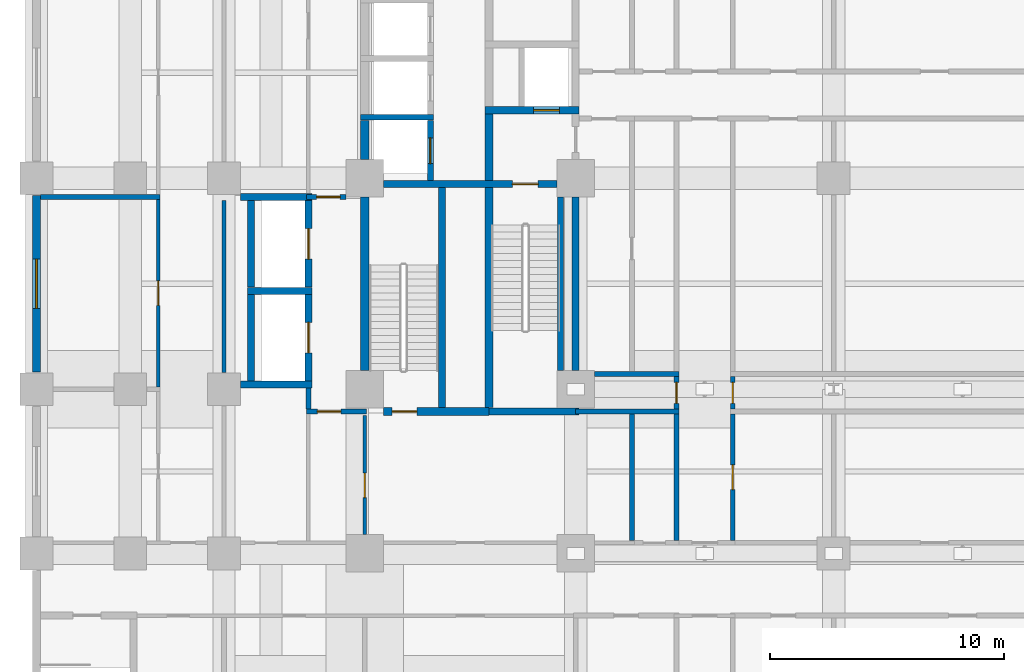
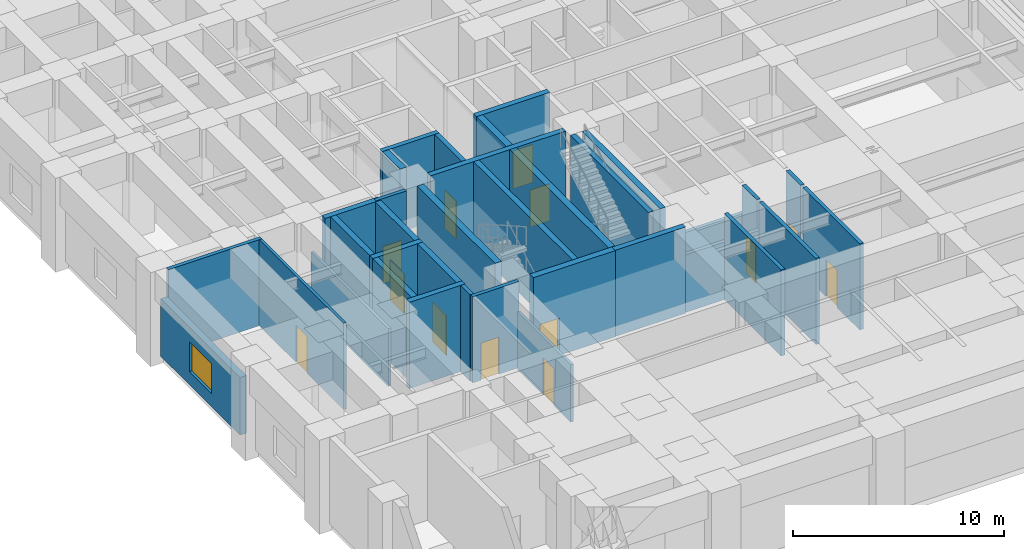
# One storey, part 8 of 22: 35 walls, 13 doors, 1 window, 14 openings.
"""IFC4 building model written with IfcOpenShell, lengths in metres."""

from ifc_helpers import new_model, si_unit, direction, frame, frame_2d, origin, place, context, subcontext, project, spatial, rectangle, extrude, material, layer, layer_set, type_object, element, fill, save


model = new_model("IFC4")

# Units and contexts
model_context = context("Model", 3, precision=1e-05, world=origin(), true_north=direction((0.0, 1.0)))
body_context = subcontext(model_context, "Body", "Model", "MODEL_VIEW")
ifc_project = project(units=[si_unit("LENGTHUNIT", "METRE"), si_unit("AREAUNIT", "SQUARE_METRE"), si_unit("VOLUMEUNIT", "CUBIC_METRE"), si_unit("PLANEANGLEUNIT", "RADIAN"), si_unit("MASSUNIT", "GRAM", prefix="KILO")], contexts=[model_context])

# Site, building, storey
site_placement = place(None, origin())
site = spatial("IfcSite", under=ifc_project, at=site_placement, CompositionType="ELEMENT")
building_placement = place(site_placement, origin())
building = spatial("IfcBuilding", under=site, at=building_placement, Name="Zulmaris Gate Convention Tower", CompositionType="ELEMENT")
storey_placement = place(building_placement, frame((0.0, 0.0, 21.760009765625)))
storey = spatial("IfcBuildingStorey", under=building, at=storey_placement, Name="L04", CompositionType="ELEMENT", Elevation=21.760009765625)

# Wall
ifc_material_1 = material(Name="Concrete C50/60", Category="concrete")
ifc_layer_1 = layer(ifc_material_1, 0.25, Name="Concrete C50/60")
ifc_layer_set_1 = layer_set([ifc_layer_1], Name="Concrete C50/60")
wall_type_1 = type_object("IfcWallType", Name="CORE-250", PredefinedType="SOLIDWALL", material=ifc_layer_set_1)
wall_1_placement = place(storey_placement, frame((-20.175048828125, 2.60009765625, 0.0), z_axis=(0.0, 0.0, 1.0), x_axis=(1.0, 0.0, 0.0)))
element("IfcWall", 1, at=wall_1_placement, inside=storey, type_object=wall_type_1, Name="WL-L04-016", PredefinedType="SOLIDWALL", context=body_context, shape_type="SweptSolid", body=[
    extrude(rectangle(XDim=3.10009765625, YDim=0.25, at=frame_2d((1.550048828125, 0.0))), origin(), (0.0, 0.0, 1.0), 4.989990234375),
])

# Wall, opening, door
wall_2_placement = place(storey_placement, frame((-17.199951171875, -0.097900390625, 0.0), z_axis=(0.0, 0.0, 1.0), x_axis=(0.0, 1.0, 0.0)))
wall_2 = element("IfcWall", 2, at=wall_2_placement, inside=storey, type_object=wall_type_1, Name="WL-L04-083", PredefinedType="SOLIDWALL", context=body_context, shape_type="SweptSolid", body=[
    extrude(rectangle(XDim=2.57080078125, YDim=0.25, at=frame_2d((1.285400390625, 0.0))), origin(), (0.0, 0.0, 1.0), 4.989990234375),
])
opening_1_placement = place(wall_2_placement, frame((0.722900390625, 0.0, 0.0)))
opening_1 = element("IfcOpeningElement", 3, at=opening_1_placement, cuts=wall_2, Name="Opening D-06", PredefinedType="OPENING", context=body_context, shape_type="SweptSolid", body=[
    extrude(rectangle(XDim=1.10009765625, YDim=2.199951171875, at=frame_2d((0.550048828125, 1.10009765625))), frame((0.0, 0.135009765625, 0.0), z_axis=(0.0, -1.0, 0.0), x_axis=(1.0, 0.0, 0.0)), (0.0, 0.0, 1.0), 0.27001953125),
])
ifc_material_2 = material(Name="Brushed Stainless Steel", Category="steel")
door_type_1 = type_object("IfcDoorType", Name="LD-1100", OperationType="NOTDEFINED", PredefinedType="DOOR", material=ifc_material_2)
door_1_placement = place(opening_1_placement, origin())
door_1 = element("IfcDoor", 4, at=door_1_placement, inside=storey, type_object=door_type_1, Name="L04 Lift Landing Door LP-01 12", OperationType="SLIDING_TO_LEFT", OverallHeight=2.199951171875, OverallWidth=1.10009765625, PredefinedType="DOOR", context=body_context, shape_type="SweptSolid", body=[
    extrude(rectangle(XDim=1.10009765625, YDim=2.199951171875, at=frame_2d((0.550048828125, 1.10009765625))), frame((0.0, 0.02490234375, 0.0), z_axis=(0.0, -1.0, 0.0), x_axis=(1.0, 0.0, 0.0)), (0.0, 0.0, 1.0), 0.050048828125),
])
fill(opening_1, door_1)

# Walls
wall_3_placement = place(storey_placement, frame((-11.64990234375, -8.196044921875, 0.0), z_axis=(0.0, 0.0, 1.0), x_axis=(0.0, 1.0, 0.0)))
element("IfcWall", 5, at=wall_3_placement, inside=storey, type_object=wall_type_1, Name="WL-L04-093", PredefinedType="SOLIDWALL", context=body_context, shape_type="SweptSolid", body=[
    extrude(rectangle(XDim=7.39208984375, YDim=0.25, at=frame_2d((3.696044921875, 0.0))), origin(), (0.0, 0.0, 1.0), 4.989990234375),
])
ifc_layer_2 = layer(ifc_material_1, 0.300048828125, Name="Concrete C50/60")
ifc_layer_set_2 = layer_set([ifc_layer_2], Name="Concrete C50/60")
wall_type_2 = type_object("IfcWallType", Name="CORE-300", PredefinedType="SHEAR", material=ifc_layer_set_2)
wall_4_placement = place(storey_placement, frame((-14.699951171875, -9.949951171875, 0.0), z_axis=(0.0, 0.0, 1.0), x_axis=(1.0, 0.0, 0.0)))
element("IfcWall", 6, at=wall_4_placement, inside=storey, type_object=wall_type_2, Name="WL-L04-006", PredefinedType="SHEAR", context=body_context, shape_type="SweptSolid", body=[
    extrude(rectangle(XDim=3.849853515625, YDim=0.300048828125, at=frame_2d((1.9248046875, 0.0))), origin(), (0.0, 0.0, 1.0), 4.989990234375),
])
wall_5_placement = place(storey_placement, frame((-25.2958984375, -8.800048828125, 0.0), z_axis=(0.0, 0.0, 1.0), x_axis=(1.0, 0.0, 0.0)))
element("IfcWall", 7, at=wall_5_placement, inside=storey, type_object=wall_type_2, Name="WL-L04-009", PredefinedType="SHEAR", context=body_context, shape_type="SweptSolid", body=[
    extrude(rectangle(XDim=3.0458984375, YDim=0.300048828125, at=frame_2d((1.52294921875, 0.0))), origin(), (0.0, 0.0, 1.0), 4.989990234375),
])
wall_6_placement = place(storey_placement, frame((-25.0, -4.800048828125, 0.0), z_axis=(0.0, 0.0, 1.0), x_axis=(1.0, 0.0, 0.0)))
element("IfcWall", 8, at=wall_6_placement, inside=storey, type_object=wall_type_2, Name="WL-L04-011", PredefinedType="SHEAR", context=body_context, shape_type="SweptSolid", body=[
    extrude(rectangle(XDim=2.75, YDim=0.300048828125, at=frame_2d((1.375, 0.0))), origin(), (0.0, 0.0, 1.0), 4.989990234375),
])
wall_7_placement = place(storey_placement, frame((-25.2958984375, -0.800048828125, 0.0), z_axis=(0.0, 0.0, 1.0), x_axis=(1.0, 0.0, 0.0)))
element("IfcWall", 9, at=wall_7_placement, inside=storey, type_object=wall_type_2, Name="WL-L04-013", PredefinedType="SHEAR", context=body_context, shape_type="SweptSolid", body=[
    extrude(rectangle(XDim=3.0458984375, YDim=0.300048828125, at=frame_2d((1.52294921875, 0.0))), origin(), (0.0, 0.0, 1.0), 4.989990234375),
])

# Wall, opening, door
wall_8_placement = place(storey_placement, frame((-19.196044921875, -0.25, 0.0), z_axis=(0.0, 0.0, 1.0), x_axis=(1.0, 0.0, 0.0)))
wall_8 = element("IfcWall", 10, at=wall_8_placement, inside=storey, type_object=wall_type_2, Name="WL-L04-014", PredefinedType="SHEAR", context=body_context, shape_type="SweptSolid", body=[
    extrude(rectangle(XDim=7.39208984375, YDim=0.300048828125, at=frame_2d((3.696044921875, 0.0))), origin(), (0.0, 0.0, 1.0), 4.989990234375),
])
opening_2_placement = place(wall_8_placement, frame((5.49609375, 0.0, 0.0)))
opening_2 = element("IfcOpeningElement", 11, at=opening_2_placement, cuts=wall_8, Name="Opening D-08", PredefinedType="OPENING", context=body_context, shape_type="SweptSolid", body=[
    extrude(rectangle(XDim=1.10009765625, YDim=2.14990234375, at=frame_2d((0.550048828125, 1.074951171875))), frame((0.0, 0.16015625, 0.0), z_axis=(0.0, -1.0, 0.0), x_axis=(1.0, 0.0, 0.0)), (0.0, 0.0, 1.0), 0.320068359375),
])
ifc_material_3 = material(Name="Fire-Rated Steel", Category="steel")
door_type_2 = type_object("IfcDoorType", Name="DR-1100-FD", OperationType="NOTDEFINED", PredefinedType="DOOR", material=ifc_material_3)
door_2_placement = place(opening_2_placement, origin())
door_2 = element("IfcDoor", 12, at=door_2_placement, inside=storey, type_object=door_type_2, Name="L04 Exit Stair ST-1 Door 01", OperationType="SINGLE_SWING_LEFT", OverallHeight=2.14990234375, OverallWidth=1.10009765625, PredefinedType="DOOR", context=body_context, shape_type="SweptSolid", body=[
    extrude(rectangle(XDim=1.10009765625, YDim=2.14990234375, at=frame_2d((0.550048828125, 1.074951171875))), frame((0.0, 0.02490234375, 0.0), z_axis=(0.0, -1.0, 0.0), x_axis=(1.0, 0.0, 0.0)), (0.0, 0.0, 1.0), 0.050048828125),
])
fill(opening_2, door_2)

wall_9_placement = place(storey_placement, frame((-14.875, 2.89990234375, 0.0), z_axis=(0.0, 0.0, 1.0), x_axis=(1.0, 0.0, 0.0)))
wall_9 = element("IfcWall", 13, at=wall_9_placement, inside=storey, type_object=wall_type_2, Name="WL-L04-017", PredefinedType="SHEAR", context=body_context, shape_type="SweptSolid", body=[
    extrude(rectangle(XDim=4.02490234375, YDim=0.300048828125, at=frame_2d((2.012451171875, 0.0))), origin(), (0.0, 0.0, 1.0), 4.989990234375),
])
opening_3_placement = place(wall_9_placement, frame((2.074951171875, 0.0, 0.0)))
opening_3 = element("IfcOpeningElement", 14, at=opening_3_placement, cuts=wall_9, Name="Opening D-06", PredefinedType="OPENING", context=body_context, shape_type="SweptSolid", body=[
    extrude(rectangle(XDim=1.10009765625, YDim=2.199951171875, at=frame_2d((0.550048828125, 1.10009765625))), frame((0.0, 0.16015625, 0.0), z_axis=(0.0, -1.0, 0.0), x_axis=(1.0, 0.0, 0.0)), (0.0, 0.0, 1.0), 0.320068359375),
])
door_3_placement = place(opening_3_placement, origin())
door_3 = element("IfcDoor", 15, at=door_3_placement, inside=storey, type_object=door_type_1, Name="L04 Lift Landing Door LF-01 03", OperationType="SLIDING_TO_LEFT", OverallHeight=2.199951171875, OverallWidth=1.10009765625, PredefinedType="DOOR", context=body_context, shape_type="SweptSolid", body=[
    extrude(rectangle(XDim=1.10009765625, YDim=2.199951171875, at=frame_2d((0.550048828125, 1.10009765625))), frame((0.0, 0.02490234375, 0.0), z_axis=(0.0, -1.0, 0.0), x_axis=(1.0, 0.0, 0.0)), (0.0, 0.0, 1.0), 0.050048828125),
])
fill(opening_3, door_3)

# Walls
for number, where, z_axis, x_axis, name in (
    (16, (-24.85009765625, -8.64794921875, 0.0), (0.0, 0.0, 1.0), (0.0, 1.0, 0.0), "WL-L04-074"),
    (17, (-24.85009765625, -4.64794921875, 0.0), (0.0, 0.0, 1.0), (0.0, 1.0, 0.0), "WL-L04-075"),
):
    element("IfcWall", number, at=place(storey_placement, frame(where, z_axis=z_axis, x_axis=x_axis)), inside=storey, type_object=wall_type_2, Name=name, PredefinedType="SHEAR", context=body_context, shape_type="SweptSolid", body=[
        extrude(rectangle(XDim=3.696044921875, YDim=0.300048828125, at=frame_2d((1.84814453125, 0.0))), origin(), (0.0, 0.0, 1.0), 4.989990234375),
    ])

# Wall, opening, door
wall_10_placement = place(storey_placement, frame((-22.39990234375, -8.64794921875, 0.0), z_axis=(0.0, 0.0, 1.0), x_axis=(0.0, 1.0, 0.0)))
wall_10 = element("IfcWall", 18, at=wall_10_placement, inside=storey, type_object=wall_type_2, Name="WL-L04-076", PredefinedType="SHEAR", context=body_context, shape_type="SweptSolid", body=[
    extrude(rectangle(XDim=3.696044921875, YDim=0.300048828125, at=frame_2d((1.84814453125, 0.0))), origin(), (0.0, 0.0, 1.0), 4.989990234375),
])
opening_4_placement = place(wall_10_placement, frame((1.197998046875, 0.0, 0.0)))
opening_4 = element("IfcOpeningElement", 19, at=opening_4_placement, cuts=wall_10, Name="Opening D-07", PredefinedType="OPENING", context=body_context, shape_type="SweptSolid", body=[
    extrude(rectangle(XDim=1.300048828125, YDim=2.300048828125, at=frame_2d((0.64990234375, 1.14990234375))), frame((0.0, 0.16015625, 0.0), z_axis=(0.0, -1.0, 0.0), x_axis=(1.0, 0.0, 0.0)), (0.0, 0.0, 1.0), 0.320068359375),
])
ifc_material_4 = material(Name="Heavy-Duty Brushed Stainless Steel", Category="steel")
door_type_3 = type_object("IfcDoorType", Name="LD-1300", OperationType="NOTDEFINED", PredefinedType="DOOR", material=ifc_material_4)
door_4_placement = place(opening_4_placement, origin())
door_4 = element("IfcDoor", 20, at=door_4_placement, inside=storey, type_object=door_type_3, Name="L04 Goods Lift Door GL-01 22", OperationType="SLIDING_TO_LEFT", OverallHeight=2.300048828125, OverallWidth=1.300048828125, PredefinedType="DOOR", context=body_context, shape_type="SweptSolid", body=[
    extrude(rectangle(XDim=1.300048828125, YDim=2.300048828125, at=frame_2d((0.64990234375, 1.14990234375))), frame((0.0, 0.02490234375, 0.0), z_axis=(0.0, -1.0, 0.0), x_axis=(1.0, 0.0, 0.0)), (0.0, 0.0, 1.0), 0.050048828125),
])
fill(opening_4, door_4)

wall_11_placement = place(storey_placement, frame((-22.39990234375, -4.64794921875, 0.0), z_axis=(0.0, 0.0, 1.0), x_axis=(0.0, 1.0, 0.0)))
wall_11 = element("IfcWall", 21, at=wall_11_placement, inside=storey, type_object=wall_type_2, Name="WL-L04-077", PredefinedType="SHEAR", context=body_context, shape_type="SweptSolid", body=[
    extrude(rectangle(XDim=3.696044921875, YDim=0.300048828125, at=frame_2d((1.84814453125, 0.0))), origin(), (0.0, 0.0, 1.0), 4.989990234375),
])
opening_5_placement = place(wall_11_placement, frame((1.197998046875, 0.0, 0.0)))
opening_5 = element("IfcOpeningElement", 22, at=opening_5_placement, cuts=wall_11, Name="Opening D-07", PredefinedType="OPENING", context=body_context, shape_type="SweptSolid", body=[
    extrude(rectangle(XDim=1.300048828125, YDim=2.300048828125, at=frame_2d((0.64990234375, 1.14990234375))), frame((0.0, 0.16015625, 0.0), z_axis=(0.0, -1.0, 0.0), x_axis=(1.0, 0.0, 0.0)), (0.0, 0.0, 1.0), 0.320068359375),
])
door_5_placement = place(opening_5_placement, origin())
door_5 = element("IfcDoor", 23, at=door_5_placement, inside=storey, type_object=door_type_3, Name="L04 Goods Lift Door GL-02 23", OperationType="SLIDING_TO_LEFT", OverallHeight=2.300048828125, OverallWidth=1.300048828125, PredefinedType="DOOR", context=body_context, shape_type="SweptSolid", body=[
    extrude(rectangle(XDim=1.300048828125, YDim=2.300048828125, at=frame_2d((0.64990234375, 1.14990234375))), frame((0.0, 0.02490234375, 0.0), z_axis=(0.0, -1.0, 0.0), x_axis=(1.0, 0.0, 0.0)), (0.0, 0.0, 1.0), 0.050048828125),
])
fill(opening_5, door_5)

# Walls
wall_12_placement = place(storey_placement, frame((-16.699951171875, -9.77294921875, 0.0), z_axis=(0.0, 0.0, 1.0), x_axis=(0.0, 1.0, 0.0)))
element("IfcWall", 24, at=wall_12_placement, inside=storey, type_object=wall_type_2, Name="WL-L04-087", PredefinedType="SHEAR", context=body_context, shape_type="SweptSolid", body=[
    extrude(rectangle(XDim=9.370849609375, YDim=0.300048828125, at=frame_2d((4.685546875, 0.0))), origin(), (0.0, 0.0, 1.0), 4.989990234375),
])
wall_13_placement = place(storey_placement, frame((-11.0, -8.196044921875, 0.0), z_axis=(0.0, 0.0, 1.0), x_axis=(0.0, 1.0, 0.0)))
element("IfcWall", 25, at=wall_13_placement, inside=storey, type_object=wall_type_2, Name="WL-L04-094", PredefinedType="SHEAR", context=body_context, shape_type="SweptSolid", body=[
    extrude(rectangle(XDim=7.39208984375, YDim=0.300048828125, at=frame_2d((3.696044921875, 0.0))), origin(), (0.0, 0.0, 1.0), 4.989990234375),
])

# Wall, opening, door
ifc_material_5 = material(Name="Concrete C55/67", Category="concrete")
ifc_layer_3 = layer(ifc_material_5, 0.35009765625, Name="Concrete C55/67")
ifc_layer_set_3 = layer_set([ifc_layer_3], Name="Concrete C55/67")
wall_type_3 = type_object("IfcWallType", Name="CORE-350", PredefinedType="SHEAR", material=ifc_layer_set_3)
wall_14_placement = place(storey_placement, frame((-19.196044921875, -9.949951171875, 0.0), z_axis=(0.0, 0.0, 1.0), x_axis=(1.0, 0.0, 0.0)))
wall_14 = element("IfcWall", 26, at=wall_14_placement, inside=storey, type_object=wall_type_3, Name="WL-L04-005", PredefinedType="SHEAR", context=body_context, shape_type="SweptSolid", body=[
    extrude(rectangle(XDim=4.49609375, YDim=0.35009765625, at=frame_2d((2.248046875, 0.0))), origin(), (0.0, 0.0, 1.0), 4.989990234375),
])
opening_6_placement = place(wall_14_placement, frame((0.37109375, 0.0, 0.0)))
opening_6 = element("IfcOpeningElement", 27, at=opening_6_placement, cuts=wall_14, Name="Opening D-09", PredefinedType="OPENING", context=body_context, shape_type="SweptSolid", body=[
    extrude(rectangle(XDim=1.050048828125, YDim=2.14990234375, at=frame_2d((0.52490234375, 1.074951171875))), frame((0.0, 0.18505859375, 0.0), z_axis=(0.0, -1.0, 0.0), x_axis=(1.0, 0.0, 0.0)), (0.0, 0.0, 1.0), 0.3701171875),
])
door_type_4 = type_object("IfcDoorType", Name="DR-1050-FD", OperationType="NOTDEFINED", PredefinedType="DOOR", material=ifc_material_3)
door_6_placement = place(opening_6_placement, origin())
door_6 = element("IfcDoor", 28, at=door_6_placement, inside=storey, type_object=door_type_4, Name="L04 Exit Stair ST-3 Door 10", OperationType="SINGLE_SWING_RIGHT", OverallHeight=2.14990234375, OverallWidth=1.050048828125, PredefinedType="DOOR", context=body_context, shape_type="SweptSolid", body=[
    extrude(rectangle(XDim=1.050048828125, YDim=2.14990234375, at=frame_2d((0.52490234375, 1.074951171875))), frame((0.0, 0.02490234375, 0.0), z_axis=(0.0, -1.0, 0.0), x_axis=(1.0, 0.0, 0.0)), (0.0, 0.0, 1.0), 0.050048828125),
])
fill(opening_6, door_6)

# Walls
wall_15_placement = place(storey_placement, frame((-20.0, -8.196044921875, 0.0), z_axis=(0.0, 0.0, 1.0), x_axis=(0.0, 1.0, 0.0)))
element("IfcWall", 29, at=wall_15_placement, inside=storey, type_object=wall_type_3, Name="WL-L04-078", PredefinedType="SHEAR", context=body_context, shape_type="SweptSolid", body=[
    extrude(rectangle(XDim=7.39208984375, YDim=0.35009765625, at=frame_2d((3.696044921875, 0.0))), origin(), (0.0, 0.0, 1.0), 4.989990234375),
])
wall_16_placement = place(storey_placement, frame((-20.0, 0.803955078125, 0.0), z_axis=(0.0, 0.0, 1.0), x_axis=(0.0, 1.0, 0.0)))
element("IfcWall", 30, at=wall_16_placement, inside=storey, type_object=wall_type_3, Name="WL-L04-079", PredefinedType="SHEAR", context=body_context, shape_type="SweptSolid", body=[
    extrude(rectangle(XDim=1.6689453125, YDim=0.35009765625, at=frame_2d((0.83447265625, 0.0))), origin(), (0.0, 0.0, 1.0), 4.989990234375),
])
wall_17_placement = place(storey_placement, frame((-14.699951171875, -9.77294921875, 0.0), z_axis=(0.0, 0.0, 1.0), x_axis=(0.0, 1.0, 0.0)))
element("IfcWall", 31, at=wall_17_placement, inside=storey, type_object=wall_type_3, Name="WL-L04-088", PredefinedType="SHEAR", context=body_context, shape_type="SweptSolid", body=[
    extrude(rectangle(XDim=9.370849609375, YDim=0.35009765625, at=frame_2d((4.685546875, 0.0))), origin(), (0.0, 0.0, 1.0), 4.989990234375),
])
wall_18_placement = place(storey_placement, frame((-14.699951171875, -0.097900390625, 0.0), z_axis=(0.0, 0.0, 1.0), x_axis=(0.0, 1.0, 0.0)))
element("IfcWall", 32, at=wall_18_placement, inside=storey, type_object=wall_type_3, Name="WL-L04-089", PredefinedType="SHEAR", context=body_context, shape_type="SweptSolid", body=[
    extrude(rectangle(XDim=2.845947265625, YDim=0.35009765625, at=frame_2d((1.4228515625, 0.0))), origin(), (0.0, 0.0, 1.0), 4.989990234375),
])

# Wall, opening, door
ifc_material_6 = material(Name="Gypsum Metal Stud Partition")
ifc_layer_4 = layer(ifc_material_6, 0.14990234375, Name="Gypsum Metal Stud Partition")
ifc_layer_set_4 = layer_set([ifc_layer_4], Name="Gypsum Metal Stud Partition")
wall_type_4 = type_object("IfcWallType", Name="PART-150", PredefinedType="PARTITIONING", material=ifc_layer_set_4)
wall_19_placement = place(storey_placement, frame((-28.800048828125, -8.89697265625, 0.0), z_axis=(0.0, 0.0, 1.0), x_axis=(0.0, 1.0, 0.0)))
wall_19 = element("IfcWall", 33, at=wall_19_placement, inside=storey, type_object=wall_type_4, Name="WL-L04-117", PredefinedType="PARTITIONING", context=body_context, shape_type="SweptSolid", body=[
    extrude(rectangle(XDim=7.993896484375, YDim=0.14990234375, at=frame_2d((3.9970703125, 0.0))), origin(), (0.0, 0.0, 1.0), 4.989990234375),
])
opening_7_placement = place(wall_19_placement, frame((3.471923828125, 0.0, 0.0)))
opening_7 = element("IfcOpeningElement", 34, at=opening_7_placement, cuts=wall_19, Name="Opening D-09", PredefinedType="OPENING", context=body_context, shape_type="SweptSolid", body=[
    extrude(rectangle(XDim=1.050048828125, YDim=2.14990234375, at=frame_2d((0.52490234375, 1.074951171875))), frame((0.0, 0.0849609375, 0.0), z_axis=(0.0, -1.0, 0.0), x_axis=(1.0, 0.0, 0.0)), (0.0, 0.0, 1.0), 0.169921875),
])
door_7_placement = place(opening_7_placement, origin())
door_7 = element("IfcDoor", 35, at=door_7_placement, inside=storey, type_object=door_type_4, Name="L04 SW Workshop WL2 Door 67", OperationType="SINGLE_SWING_LEFT", OverallHeight=2.14990234375, OverallWidth=1.050048828125, PredefinedType="DOOR", context=body_context, shape_type="SweptSolid", body=[
    extrude(rectangle(XDim=1.050048828125, YDim=2.14990234375, at=frame_2d((0.52490234375, 1.074951171875))), frame((0.0, 0.02490234375, 0.0), z_axis=(0.0, -1.0, 0.0), x_axis=(1.0, 0.0, 0.0)), (0.0, 0.0, 1.0), 0.050048828125),
])
fill(opening_7, door_7)

# Wall
wall_20_placement = place(storey_placement, frame((-26.0, -8.2939453125, 0.0), z_axis=(0.0, 0.0, 1.0), x_axis=(0.0, 1.0, 0.0)))
element("IfcWall", 36, at=wall_20_placement, inside=storey, type_object=wall_type_4, Name="WL-L04-123", PredefinedType="PARTITIONING", context=body_context, shape_type="SweptSolid", body=[
    extrude(rectangle(XDim=7.341064453125, YDim=0.14990234375, at=frame_2d((3.67041015625, 0.0))), origin(), (0.0, 0.0, 1.0), 3.33203125),
])

# Wall, opening, door
wall_21_placement = place(storey_placement, frame((-20.0, -15.194091796875, 0.0), z_axis=(0.0, 0.0, 1.0), x_axis=(0.0, 1.0, 0.0)))
wall_21 = element("IfcWall", 37, at=wall_21_placement, inside=storey, type_object=wall_type_4, Name="WL-L04-130", PredefinedType="PARTITIONING", context=body_context, shape_type="SweptSolid", body=[
    extrude(rectangle(XDim=5.066162109375, YDim=0.14990234375, at=frame_2d((2.533203125, 0.0))), origin(), (0.0, 0.0, 1.0), 3.33203125),
])
opening_8_placement = place(wall_21_placement, frame((1.569091796875, 0.0, 0.0)))
opening_8 = element("IfcOpeningElement", 38, at=opening_8_placement, cuts=wall_21, Name="Opening D-09", PredefinedType="OPENING", context=body_context, shape_type="SweptSolid", body=[
    extrude(rectangle(XDim=1.050048828125, YDim=2.14990234375, at=frame_2d((0.52490234375, 1.074951171875))), frame((0.0, 0.0849609375, 0.0), z_axis=(0.0, -1.0, 0.0), x_axis=(1.0, 0.0, 0.0)), (0.0, 0.0, 1.0), 0.169921875),
])
door_8_placement = place(opening_8_placement, origin())
door_8 = element("IfcDoor", 39, at=door_8_placement, inside=storey, type_object=door_type_4, Name="L04 SW Goods Passage Link Door 34", OperationType="SINGLE_SWING_RIGHT", OverallHeight=2.14990234375, OverallWidth=1.050048828125, PredefinedType="DOOR", context=body_context, shape_type="SweptSolid", body=[
    extrude(rectangle(XDim=1.050048828125, YDim=2.14990234375, at=frame_2d((0.52490234375, 1.074951171875))), frame((0.0, 0.02490234375, 0.0), z_axis=(0.0, -1.0, 0.0), x_axis=(1.0, 0.0, 0.0)), (0.0, 0.0, 1.0), 0.050048828125),
])
fill(opening_8, door_8)

ifc_material_7 = material(Name="Autoclaved Aerated Concrete Block and Plasterboard", Category="concrete")
ifc_layer_5 = layer(ifc_material_7, 0.199951171875, Name="Autoclaved Aerated Concrete Block and Plasterboard")
ifc_layer_set_5 = layer_set([ifc_layer_5], Name="Autoclaved Aerated Concrete Block and Plasterboard")
wall_type_5 = type_object("IfcWallType", Name="PART-200", PredefinedType="PARTITIONING", material=ifc_layer_set_5)
wall_22_placement = place(storey_placement, frame((-22.47509765625, -9.949951171875, 0.0), z_axis=(0.0, 0.0, 1.0), x_axis=(1.0, 0.0, 0.0)))
wall_22 = element("IfcWall", 40, at=wall_22_placement, inside=storey, type_object=wall_type_5, Name="WL-L04-041", PredefinedType="PARTITIONING", context=body_context, shape_type="SweptSolid", body=[
    extrude(rectangle(XDim=2.550048828125, YDim=0.199951171875, at=frame_2d((1.27490234375, 0.0))), origin(), (0.0, 0.0, 1.0), 4.989990234375),
])
opening_9_placement = place(wall_22_placement, frame((0.455078125, 0.0, 0.0)))
opening_9 = element("IfcOpeningElement", 41, at=opening_9_placement, cuts=wall_22, Name="Opening D-10", PredefinedType="OPENING", context=body_context, shape_type="SweptSolid", body=[
    extrude(rectangle(XDim=1.0, YDim=2.14990234375, at=frame_2d((0.5, 1.074951171875))), frame((0.0, 0.10986328125, 0.0), z_axis=(0.0, -1.0, 0.0), x_axis=(1.0, 0.0, 0.0)), (0.0, 0.0, 1.0), 0.219970703125),
])
ifc_material_8 = material(Name="Fire-Rated Timber", Category="wood")
door_type_5 = type_object("IfcDoorType", Name="DR-1000-FD", OperationType="NOTDEFINED", PredefinedType="DOOR", material=ifc_material_8)
door_9_placement = place(opening_9_placement, origin())
door_9 = element("IfcDoor", 42, at=door_9_placement, inside=storey, type_object=door_type_5, Name="L04 Goods Lobby South Door 33", OperationType="SINGLE_SWING_LEFT", OverallHeight=2.14990234375, OverallWidth=1.0, PredefinedType="DOOR", context=body_context, shape_type="SweptSolid", body=[
    extrude(rectangle(XDim=1.0, YDim=2.14990234375, at=frame_2d((0.5, 1.074951171875))), frame((0.0, 0.02490234375, 0.0), z_axis=(0.0, -1.0, 0.0), x_axis=(1.0, 0.0, 0.0)), (0.0, 0.0, 1.0), 0.050048828125),
])
fill(opening_9, door_9)

# Walls
wall_23_placement = place(storey_placement, frame((-11.0, -9.949951171875, 0.0), z_axis=(0.0, 0.0, 1.0), x_axis=(1.0, 0.0, 0.0)))
element("IfcWall", 43, at=wall_23_placement, inside=storey, type_object=wall_type_5, Name="WL-L04-042", PredefinedType="PARTITIONING", context=body_context, shape_type="SweptSolid", body=[
    extrude(rectangle(XDim=4.39990234375, YDim=0.199951171875, at=frame_2d((2.199951171875, 0.0))), origin(), (0.0, 0.0, 1.0), 3.33203125),
])
wall_24_placement = place(storey_placement, frame((-10.194091796875, -8.35009765625, 0.0), z_axis=(0.0, 0.0, 1.0), x_axis=(1.0, 0.0, 0.0)))
element("IfcWall", 44, at=wall_24_placement, inside=storey, type_object=wall_type_5, Name="WL-L04-046", PredefinedType="PARTITIONING", context=body_context, shape_type="SweptSolid", body=[
    extrude(rectangle(XDim=3.593994140625, YDim=0.199951171875, at=frame_2d((1.796875, 0.0))), origin(), (0.0, 0.0, 1.0), 3.33203125),
])
wall_25_placement = place(storey_placement, frame((-33.8349609375, -0.800048828125, 0.0), z_axis=(0.0, 0.0, 1.0), x_axis=(1.0, 0.0, 0.0)))
element("IfcWall", 45, at=wall_25_placement, inside=storey, type_object=wall_type_5, Name="WL-L04-050", PredefinedType="PARTITIONING", context=body_context, shape_type="SweptSolid", body=[
    extrude(rectangle(XDim=5.10986328125, YDim=0.199951171875, at=frame_2d((2.554931640625, 0.0))), origin(), (0.0, 0.0, 1.0), 4.989990234375),
])

# Wall, opening, door
wall_26_placement = place(storey_placement, frame((-22.47509765625, -0.800048828125, 0.0), z_axis=(0.0, 0.0, 1.0), x_axis=(1.0, 0.0, 0.0)))
wall_26 = element("IfcWall", 46, at=wall_26_placement, inside=storey, type_object=wall_type_5, Name="WL-L04-051", PredefinedType="PARTITIONING", context=body_context, shape_type="SweptSolid", body=[
    extrude(rectangle(XDim=1.669189453125, YDim=0.199951171875, at=frame_2d((0.83447265625, 0.0))), origin(), (0.0, 0.0, 1.0), 4.989990234375),
])
opening_10_placement = place(wall_26_placement, frame((0.425048828125, 0.0, 0.0)))
opening_10 = element("IfcOpeningElement", 47, at=opening_10_placement, cuts=wall_26, Name="Opening D-10", PredefinedType="OPENING", context=body_context, shape_type="SweptSolid", body=[
    extrude(rectangle(XDim=1.0, YDim=2.14990234375, at=frame_2d((0.5, 1.074951171875))), frame((0.0, 0.10986328125, 0.0), z_axis=(0.0, -1.0, 0.0), x_axis=(1.0, 0.0, 0.0)), (0.0, 0.0, 1.0), 0.219970703125),
])
door_10_placement = place(opening_10_placement, origin())
door_10 = element("IfcDoor", 48, at=door_10_placement, inside=storey, type_object=door_type_5, Name="L04 Goods Lobby Door 24", OperationType="SINGLE_SWING_RIGHT", OverallHeight=2.14990234375, OverallWidth=1.0, PredefinedType="DOOR", context=body_context, shape_type="SweptSolid", body=[
    extrude(rectangle(XDim=1.0, YDim=2.14990234375, at=frame_2d((0.5, 1.074951171875))), frame((0.0, 0.02490234375, 0.0), z_axis=(0.0, -1.0, 0.0), x_axis=(1.0, 0.0, 0.0)), (0.0, 0.0, 1.0), 0.050048828125),
])
fill(opening_10, door_10)

# Walls
wall_27_placement = place(storey_placement, frame((-22.39990234375, -9.846923828125, 0.0), z_axis=(0.0, 0.0, 1.0), x_axis=(0.0, 1.0, 0.0)))
element("IfcWall", 49, at=wall_27_placement, inside=storey, type_object=wall_type_5, Name="WL-L04-127", PredefinedType="PARTITIONING", context=body_context, shape_type="SweptSolid", body=[
    extrude(rectangle(XDim=0.89404296875, YDim=0.199951171875, at=frame_2d((0.447021484375, 0.0))), origin(), (0.0, 0.0, 1.0), 4.989990234375),
])
for number, where, z_axis, x_axis, name in (
    (50, (-8.60009765625, -15.447021484375, 0.0), (0.0, 0.0, 1.0), (0.0, 1.0, 0.0), "WL-L04-139"),
    (51, (-6.699951171875, -15.447021484375, 0.0), (0.0, 0.0, 1.0), (0.0, 1.0, 0.0), "WL-L04-144"),
):
    element("IfcWall", number, at=place(storey_placement, frame(where, z_axis=z_axis, x_axis=x_axis)), inside=storey, type_object=wall_type_5, Name=name, PredefinedType="PARTITIONING", context=body_context, shape_type="SweptSolid", body=[
        extrude(rectangle(XDim=5.39404296875, YDim=0.199951171875, at=frame_2d((2.697021484375, 0.0))), origin(), (0.0, 0.0, 1.0), 4.989990234375),
    ])

# Wall, opening, door
wall_28_placement = place(storey_placement, frame((-6.699951171875, -9.846923828125, 0.0), z_axis=(0.0, 0.0, 1.0), x_axis=(0.0, 1.0, 0.0)))
wall_28 = element("IfcWall", 52, at=wall_28_placement, inside=storey, type_object=wall_type_5, Name="WL-L04-145", PredefinedType="PARTITIONING", context=body_context, shape_type="SweptSolid", body=[
    extrude(rectangle(XDim=1.39404296875, YDim=0.199951171875, at=frame_2d((0.697021484375, 0.0))), origin(), (0.0, 0.0, 1.0), 4.989990234375),
])
opening_11_placement = place(wall_28_placement, frame((0.2470703125, 0.0, 0.0)))
opening_11 = element("IfcOpeningElement", 53, at=opening_11_placement, cuts=wall_28, Name="Opening D-12", PredefinedType="OPENING", context=body_context, shape_type="SweptSolid", body=[
    extrude(rectangle(XDim=0.89990234375, YDim=2.14990234375, at=frame_2d((0.449951171875, 1.074951171875))), frame((0.0, 0.10986328125, 0.0), z_axis=(0.0, -1.0, 0.0), x_axis=(1.0, 0.0, 0.0)), (0.0, 0.0, 1.0), 0.219970703125),
])
door_type_6 = type_object("IfcDoorType", Name="DR-900-FD", OperationType="NOTDEFINED", PredefinedType="DOOR", material=ifc_material_8)
door_11_placement = place(opening_11_placement, origin())
door_11 = element("IfcDoor", 54, at=door_11_placement, inside=storey, type_object=door_type_6, Name="L04 SW Truss Riser Door 99", OperationType="SINGLE_SWING_LEFT", OverallHeight=2.14990234375, OverallWidth=0.89990234375, PredefinedType="DOOR", context=body_context, shape_type="SweptSolid", body=[
    extrude(rectangle(XDim=0.89990234375, YDim=2.14990234375, at=frame_2d((0.449951171875, 1.074951171875))), frame((0.0, 0.02490234375, 0.0), z_axis=(0.0, -1.0, 0.0), x_axis=(1.0, 0.0, 0.0)), (0.0, 0.0, 1.0), 0.050048828125),
])
fill(opening_11, door_11)

wall_29_placement = place(storey_placement, frame((-4.300048828125, -15.447021484375, 0.0), z_axis=(0.0, 0.0, 1.0), x_axis=(0.0, 1.0, 0.0)))
wall_29 = element("IfcWall", 55, at=wall_29_placement, inside=storey, type_object=wall_type_5, Name="WL-L04-151", PredefinedType="PARTITIONING", context=body_context, shape_type="SweptSolid", body=[
    extrude(rectangle(XDim=5.39404296875, YDim=0.199951171875, at=frame_2d((2.697021484375, 0.0))), origin(), (0.0, 0.0, 1.0), 4.989990234375),
])
opening_12_placement = place(wall_29_placement, frame((2.172119140625, 0.0, 0.0)))
opening_12 = element("IfcOpeningElement", 56, at=opening_12_placement, cuts=wall_29, Name="Opening D-09", PredefinedType="OPENING", context=body_context, shape_type="SweptSolid", body=[
    extrude(rectangle(XDim=1.050048828125, YDim=2.14990234375, at=frame_2d((0.52490234375, 1.074951171875))), frame((0.0, 0.10986328125, 0.0), z_axis=(0.0, -1.0, 0.0), x_axis=(1.0, 0.0, 0.0)), (0.0, 0.0, 1.0), 0.219970703125),
])
door_12_placement = place(opening_12_placement, origin())
door_12 = element("IfcDoor", 57, at=door_12_placement, inside=storey, type_object=door_type_4, Name="L04 CW Seminar Hall Door 97", OperationType="SINGLE_SWING_LEFT", OverallHeight=2.14990234375, OverallWidth=1.050048828125, PredefinedType="DOOR", context=body_context, shape_type="SweptSolid", body=[
    extrude(rectangle(XDim=1.050048828125, YDim=2.14990234375, at=frame_2d((0.52490234375, 1.074951171875))), frame((0.0, 0.02490234375, 0.0), z_axis=(0.0, -1.0, 0.0), x_axis=(1.0, 0.0, 0.0)), (0.0, 0.0, 1.0), 0.050048828125),
])
fill(opening_12, door_12)

wall_30_placement = place(storey_placement, frame((-4.300048828125, -9.846923828125, 0.0), z_axis=(0.0, 0.0, 1.0), x_axis=(0.0, 1.0, 0.0)))
wall_30 = element("IfcWall", 58, at=wall_30_placement, inside=storey, type_object=wall_type_5, Name="WL-L04-152", PredefinedType="PARTITIONING", context=body_context, shape_type="SweptSolid", body=[
    extrude(rectangle(XDim=1.39404296875, YDim=0.199951171875, at=frame_2d((0.697021484375, 0.0))), origin(), (0.0, 0.0, 1.0), 4.989990234375),
])
opening_13_placement = place(wall_30_placement, frame((0.2470703125, 0.0, 0.0)))
opening_13 = element("IfcOpeningElement", 59, at=opening_13_placement, cuts=wall_30, Name="Opening D-12", PredefinedType="OPENING", context=body_context, shape_type="SweptSolid", body=[
    extrude(rectangle(XDim=0.89990234375, YDim=2.14990234375, at=frame_2d((0.449951171875, 1.074951171875))), frame((0.0, 0.10986328125, 0.0), z_axis=(0.0, -1.0, 0.0), x_axis=(1.0, 0.0, 0.0)), (0.0, 0.0, 1.0), 0.219970703125),
])
door_13_placement = place(opening_13_placement, origin())
door_13 = element("IfcDoor", 60, at=door_13_placement, inside=storey, type_object=door_type_6, Name="L04 SE Truss Plant Door 100", OperationType="SINGLE_SWING_RIGHT", OverallHeight=2.14990234375, OverallWidth=0.89990234375, PredefinedType="DOOR", context=body_context, shape_type="SweptSolid", body=[
    extrude(rectangle(XDim=0.89990234375, YDim=2.14990234375, at=frame_2d((0.449951171875, 1.074951171875))), frame((0.0, 0.02490234375, 0.0), z_axis=(0.0, -1.0, 0.0), x_axis=(1.0, 0.0, 0.0)), (0.0, 0.0, 1.0), 0.050048828125),
])
fill(opening_13, door_13)

# Wall, opening, window
ifc_material_9 = material(Name="Precast concrete C45/55", Category="concrete")
ifc_layer_6 = layer(ifc_material_9, 0.35009765625, Name="Precast concrete C45/55")
ifc_layer_set_6 = layer_set([ifc_layer_6], Name="Precast concrete C45/55")
wall_type_6 = type_object("IfcWallType", Name="PRECAST-POD-350", PredefinedType="STANDARD", material=ifc_layer_set_6)
wall_31_placement = place(storey_placement, frame((-34.0, -8.27001953125, 0.0), z_axis=(0.0, 0.0, 1.0), x_axis=(0.0, 1.0, 0.0)))
wall_31 = element("IfcWall", 61, at=wall_31_placement, inside=storey, type_object=wall_type_6, Name="EW-L04-W--9_0", PredefinedType="STANDARD", context=body_context, shape_type="SweptSolid", body=[
    extrude(rectangle(XDim=7.5400390625, YDim=0.35009765625, at=frame_2d((3.77001953125, 0.0))), origin(), (0.0, 0.0, 1.0), 3.33203125),
])
opening_14_placement = place(wall_31_placement, frame((2.719970703125, 0.0, 0.75)))
opening_14 = element("IfcOpeningElement", 62, at=opening_14_placement, cuts=wall_31, Name="Opening W-05", PredefinedType="OPENING", context=body_context, shape_type="SweptSolid", body=[
    extrude(rectangle(XDim=2.10009765625, YDim=1.75, at=frame_2d((1.050048828125, 0.875))), frame((0.0, 0.18505859375, 0.0), z_axis=(0.0, -1.0, 0.0), x_axis=(1.0, 0.0, 0.0)), (0.0, 0.0, 1.0), 0.3701171875),
])
ifc_material_10 = material(Name="Low-E Laminated Double Glazing in Aluminium Frame", Category="aluminium")
window_type = type_object("IfcWindowType", Name="WIN-2100x2400", PartitioningType="SINGLE_PANEL", PredefinedType="WINDOW", material=ifc_material_10)
window_placement = place(opening_14_placement, origin())
window = element("IfcWindow", 63, at=window_placement, inside=storey, type_object=window_type, Name="WN-EW-L04-W--9_0", OverallHeight=1.75, OverallWidth=2.10009765625, PartitioningType="SINGLE_PANEL", PredefinedType="WINDOW", context=body_context, shape_type="SweptSolid", body=[
    extrude(rectangle(XDim=2.10009765625, YDim=1.75, at=frame_2d((1.050048828125, 0.875))), frame((0.0, 0.030029296875, 0.0), z_axis=(0.0, -1.0, 0.0), x_axis=(1.0, 0.0, 0.0)), (0.0, 0.0, 1.0), 0.06005859375),
])
fill(opening_14, window)

save(model, "model.ifc")
